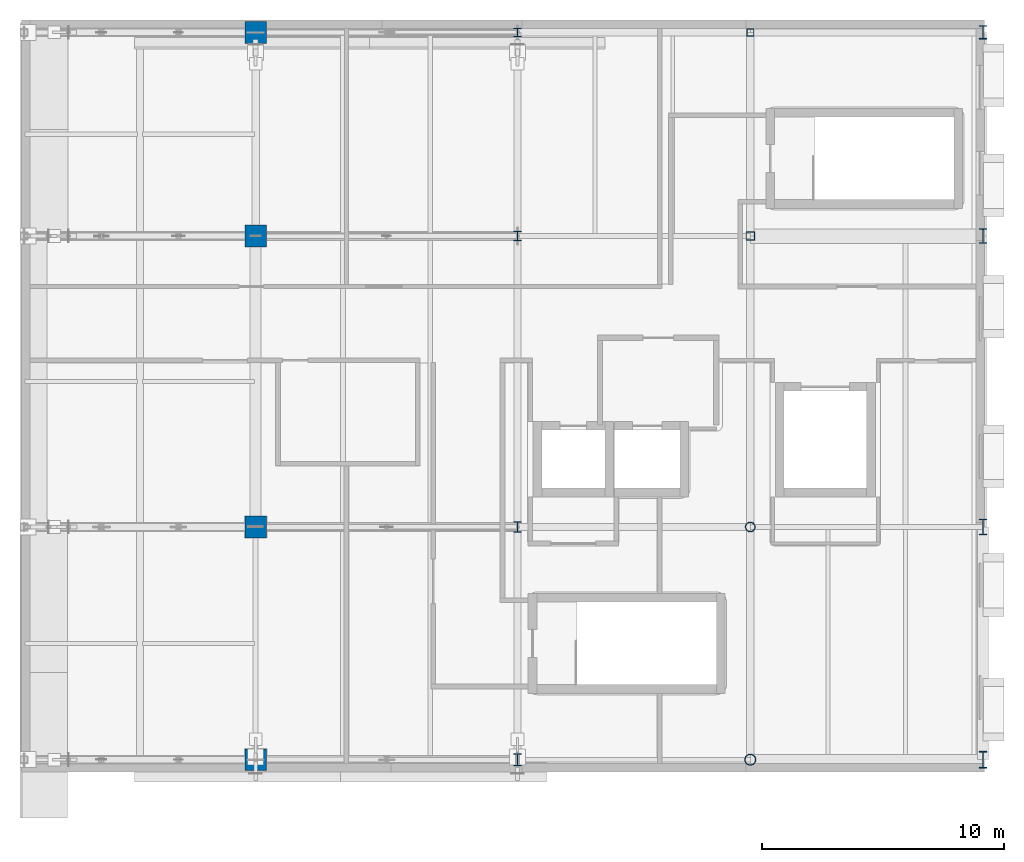
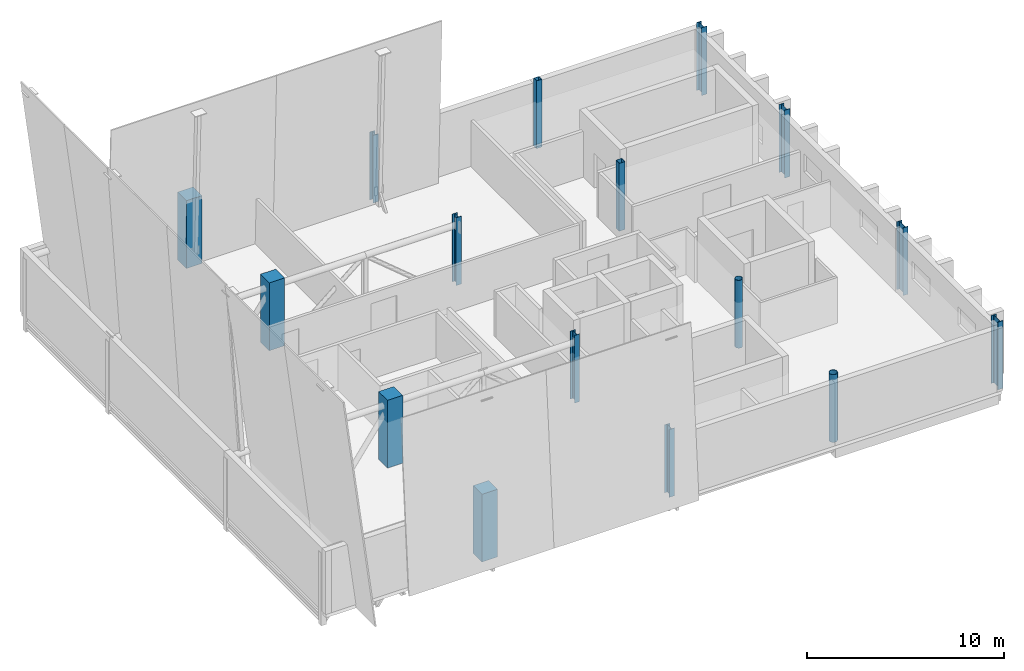
# One storey, part 1 of 10: 16 columns.
"""IFC4 building model written with IfcOpenShell, lengths in metres."""

from ifc_helpers import new_model, si_unit, direction, frame, origin, origin_2d, place, context, subcontext, project, spatial, rectangle, hollow_rectangle, hollow_circle, i_section, extrude, material, material_profile, profile_set, type_object, element, save


model = new_model("IFC4")

# Units and contexts
model_context = context("Model", 3, precision=1e-05, world=origin(), true_north=direction((0.0, 1.0)))
body_context = subcontext(model_context, "Body", "Model", "MODEL_VIEW")
ifc_project = project(units=[si_unit("LENGTHUNIT", "METRE"), si_unit("AREAUNIT", "SQUARE_METRE"), si_unit("VOLUMEUNIT", "CUBIC_METRE"), si_unit("PLANEANGLEUNIT", "RADIAN"), si_unit("MASSUNIT", "GRAM", prefix="KILO")], contexts=[model_context])

# Site, building, storey
site_placement = place(None, origin())
site = spatial("IfcSite", under=ifc_project, at=site_placement, CompositionType="ELEMENT")
building_placement = place(site_placement, origin())
building = spatial("IfcBuilding", under=site, at=building_placement, Name="Zereglee Splitstone Museum", CompositionType="ELEMENT")
storey_placement = place(building_placement, frame((0.0, 0.0, 25.5)))
storey = spatial("IfcBuildingStorey", under=building, at=storey_placement, Name="L05", CompositionType="ELEMENT", Elevation=25.5)

# Columns
ifc_material_1 = material(Name="Concrete C45/55", Category="concrete")
ifc_material_profile_1 = material_profile(ifc_material_1, rectangle(XDim=0.89990234375, YDim=0.89990234375, at=origin_2d()), Name="RC 900x900")
ifc_profile_set_1 = profile_set([ifc_material_profile_1], Name="Concrete C45/55")
column_type_1 = type_object("IfcColumnType", Name="C-03", PredefinedType="COLUMN", material=ifc_profile_set_1)
for number, where, z_axis, x_axis, name in (
    (1, (9.60009765625, 0.0, 0.0), (0.0, 0.0, 1.0), (1.0, 0.0, 0.0), "Column 2/A L05"),
    (2, (9.60009765625, 9.60009765625, 0.0), (0.0, 0.0, 1.0), (1.0, 0.0, 0.0), "Column 2/B L05"),
    (3, (9.60009765625, 21.60009765625, 0.0), (0.0, 0.0, 1.0), (1.0, 0.0, 0.0), "Column 2/C L05"),
    (4, (9.60009765625, 30.0, 0.0), (0.0, 0.0, 1.0), (1.0, 0.0, 0.0), "Column 2/D L05"),
):
    element("IfcColumn", number, at=place(storey_placement, frame(where, z_axis=z_axis, x_axis=x_axis)), inside=storey, type_object=column_type_1, Name=name, PredefinedType="COLUMN", context=body_context, shape_type="SweptSolid", body=[
        extrude(rectangle(XDim=0.89990234375, YDim=0.89990234375, at=origin_2d()), origin(), (0.0, 0.0, 1.0), 4.199951171875),
    ])
ifc_material_2 = material(Name="Steel S355J2H", Category="steel")
ifc_material_profile_2 = material_profile(ifc_material_2, hollow_circle(Radius=0.203125, WallThickness=0.02001953125, at=origin_2d()), Name="CHS 406.4x20")
ifc_profile_set_2 = profile_set([ifc_material_profile_2], Name="Steel S355J2H")
column_type_2 = type_object("IfcColumnType", Name="C-18", PredefinedType="COLUMN", material=ifc_profile_set_2)
column_1_placement = place(storey_placement, frame((30.0, 9.60009765625, 0.0), z_axis=(0.0, 0.0, 1.0), x_axis=(1.0, 0.0, 0.0)))
element("IfcColumn", 5, at=column_1_placement, inside=storey, type_object=column_type_2, Name="Column 5/B L05", PredefinedType="COLUMN", context=body_context, shape_type="SweptSolid", body=[
    extrude(hollow_circle(Radius=0.203125, WallThickness=0.02001953125, at=origin_2d()), origin(), (0.0, 0.0, 1.0), 4.199951171875),
])
ifc_material_profile_3 = material_profile(ifc_material_2, hollow_circle(Radius=0.228515625, WallThickness=0.02001953125, at=origin_2d()), Name="CHS 457.0x20")
ifc_profile_set_3 = profile_set([ifc_material_profile_3], Name="Steel S355J2H")
column_type_3 = type_object("IfcColumnType", Name="C-17", PredefinedType="COLUMN", material=ifc_profile_set_3)
column_2_placement = place(storey_placement, frame((30.0, 0.0, 0.0), z_axis=(0.0, 0.0, 1.0), x_axis=(1.0, 0.0, 0.0)))
element("IfcColumn", 6, at=column_2_placement, inside=storey, type_object=column_type_3, Name="Column 5/A L05", PredefinedType="COLUMN", context=body_context, shape_type="SweptSolid", body=[
    extrude(hollow_circle(Radius=0.228515625, WallThickness=0.02001953125, at=origin_2d()), origin(), (0.0, 0.0, 1.0), 4.199951171875),
])
ifc_material_3 = material(Name="Steel S355J2", Category="steel")
ifc_material_profile_4 = material_profile(ifc_material_3, i_section(OverallWidth=0.300048828125, OverallDepth=0.360107421875, WebThickness=0.012451171875, FlangeThickness=0.0224609375, FilletRadius=0.027099609375, at=origin_2d()), Name="HE 360 B")
ifc_profile_set_4 = profile_set([ifc_material_profile_4], Name="Steel S355J2")
column_type_4 = type_object("IfcColumnType", Name="C-16", PredefinedType="COLUMN", material=ifc_profile_set_4)
column_3_placement = place(storey_placement, frame((20.39990234375, 30.0, 0.0), z_axis=(0.0, 0.0, 1.0), x_axis=(1.0, 0.0, 0.0)))
element("IfcColumn", 7, at=column_3_placement, inside=storey, type_object=column_type_4, Name="Column 4/D L05", PredefinedType="COLUMN", context=body_context, shape_type="SweptSolid", body=[
    extrude(i_section(OverallWidth=0.300048828125, OverallDepth=0.360107421875, WebThickness=0.012451171875, FlangeThickness=0.0224609375, FilletRadius=0.027099609375, at=origin_2d()), origin(), (0.0, 0.0, 1.0), 4.199951171875),
])
ifc_material_profile_5 = material_profile(ifc_material_3, i_section(OverallWidth=0.300048828125, OverallDepth=0.39990234375, WebThickness=0.013427734375, FlangeThickness=0.02392578125, FilletRadius=0.027099609375, at=origin_2d()), Name="HE 400 B")
ifc_profile_set_5 = profile_set([ifc_material_profile_5], Name="Steel S355J2")
column_type_5 = type_object("IfcColumnType", Name="C-15", PredefinedType="COLUMN", material=ifc_profile_set_5)
column_4_placement = place(storey_placement, frame((20.39990234375, 21.60009765625, 0.0), z_axis=(0.0, 0.0, 1.0), x_axis=(1.0, 0.0, 0.0)))
element("IfcColumn", 8, at=column_4_placement, inside=storey, type_object=column_type_5, Name="Column 4/C L05", PredefinedType="COLUMN", context=body_context, shape_type="SweptSolid", body=[
    extrude(i_section(OverallWidth=0.300048828125, OverallDepth=0.39990234375, WebThickness=0.013427734375, FlangeThickness=0.02392578125, FilletRadius=0.027099609375, at=origin_2d()), origin(), (0.0, 0.0, 1.0), 4.199951171875),
])
ifc_material_profile_6 = material_profile(ifc_material_3, i_section(OverallWidth=0.300048828125, OverallDepth=0.449951171875, WebThickness=0.013916015625, FlangeThickness=0.02587890625, FilletRadius=0.027099609375, at=origin_2d()), Name="HE 450 B")
ifc_profile_set_6 = profile_set([ifc_material_profile_6], Name="Steel S355J2")
column_type_6 = type_object("IfcColumnType", Name="C-14", PredefinedType="COLUMN", material=ifc_profile_set_6)
column_5_placement = place(storey_placement, frame((20.39990234375, 9.60009765625, 0.0), z_axis=(0.0, 0.0, 1.0), x_axis=(1.0, 0.0, 0.0)))
element("IfcColumn", 9, at=column_5_placement, inside=storey, type_object=column_type_6, Name="Column 4/B L05", PredefinedType="COLUMN", context=body_context, shape_type="SweptSolid", body=[
    extrude(i_section(OverallWidth=0.300048828125, OverallDepth=0.449951171875, WebThickness=0.013916015625, FlangeThickness=0.02587890625, FilletRadius=0.027099609375, at=origin_2d()), origin(), (0.0, 0.0, 1.0), 4.199951171875),
])
ifc_material_profile_7 = material_profile(ifc_material_3, i_section(OverallWidth=0.300048828125, OverallDepth=0.5, WebThickness=0.014404296875, FlangeThickness=0.028076171875, FilletRadius=0.027099609375, at=origin_2d()), Name="HE 500 B")
ifc_profile_set_7 = profile_set([ifc_material_profile_7], Name="Steel S355J2")
column_type_7 = type_object("IfcColumnType", Name="C-13", PredefinedType="COLUMN", material=ifc_profile_set_7)
column_6_placement = place(storey_placement, frame((20.39990234375, 0.0, 0.0), z_axis=(0.0, 0.0, 1.0), x_axis=(1.0, 0.0, 0.0)))
element("IfcColumn", 10, at=column_6_placement, inside=storey, type_object=column_type_7, Name="Column 4/A L05", PredefinedType="COLUMN", context=body_context, shape_type="SweptSolid", body=[
    extrude(i_section(OverallWidth=0.300048828125, OverallDepth=0.5, WebThickness=0.014404296875, FlangeThickness=0.028076171875, FilletRadius=0.027099609375, at=origin_2d()), origin(), (0.0, 0.0, 1.0), 4.199951171875),
])
ifc_material_profile_8 = material_profile(ifc_material_3, i_section(OverallWidth=0.300048828125, OverallDepth=0.550048828125, WebThickness=0.014892578125, FlangeThickness=0.029052734375, FilletRadius=0.027099609375, at=origin_2d()), Name="HE 550 B")
ifc_profile_set_8 = profile_set([ifc_material_profile_8], Name="Steel S355J2")
column_type_8 = type_object("IfcColumnType", Name="C-12", PredefinedType="COLUMN", material=ifc_profile_set_8)
column_7_placement = place(storey_placement, frame((39.60009765625, 30.0, 0.0), z_axis=(0.0, 0.0, 1.0), x_axis=(1.0, 0.0, 0.0)))
element("IfcColumn", 11, at=column_7_placement, inside=storey, type_object=column_type_8, Name="Column 6/D L05", PredefinedType="COLUMN", context=body_context, shape_type="SweptSolid", body=[
    extrude(i_section(OverallWidth=0.300048828125, OverallDepth=0.550048828125, WebThickness=0.014892578125, FlangeThickness=0.029052734375, FilletRadius=0.027099609375, at=origin_2d()), origin(), (0.0, 0.0, 1.0), 4.199951171875),
])
ifc_material_profile_9 = material_profile(ifc_material_3, i_section(OverallWidth=0.300048828125, OverallDepth=0.60009765625, WebThickness=0.015380859375, FlangeThickness=0.030029296875, FilletRadius=0.027099609375, at=origin_2d()), Name="HE 600 B")
ifc_profile_set_9 = profile_set([ifc_material_profile_9], Name="Steel S355J2")
column_type_9 = type_object("IfcColumnType", Name="C-11", PredefinedType="COLUMN", material=ifc_profile_set_9)
column_8_placement = place(storey_placement, frame((39.60009765625, 21.60009765625, 0.0), z_axis=(0.0, 0.0, 1.0), x_axis=(1.0, 0.0, 0.0)))
element("IfcColumn", 12, at=column_8_placement, inside=storey, type_object=column_type_9, Name="Column 6/C L05", PredefinedType="COLUMN", context=body_context, shape_type="SweptSolid", body=[
    extrude(i_section(OverallWidth=0.300048828125, OverallDepth=0.60009765625, WebThickness=0.015380859375, FlangeThickness=0.030029296875, FilletRadius=0.027099609375, at=origin_2d()), origin(), (0.0, 0.0, 1.0), 4.199951171875),
])
ifc_material_profile_10 = material_profile(ifc_material_3, i_section(OverallWidth=0.300048828125, OverallDepth=0.64990234375, WebThickness=0.01611328125, FlangeThickness=0.031005859375, FilletRadius=0.027099609375, at=origin_2d()), Name="HE 650 B")
ifc_profile_set_10 = profile_set([ifc_material_profile_10], Name="Steel S355J2")
column_type_10 = type_object("IfcColumnType", Name="C-10", PredefinedType="COLUMN", material=ifc_profile_set_10)
column_9_placement = place(storey_placement, frame((39.60009765625, 9.60009765625, 0.0), z_axis=(0.0, 0.0, 1.0), x_axis=(1.0, 0.0, 0.0)))
element("IfcColumn", 13, at=column_9_placement, inside=storey, type_object=column_type_10, Name="Column 6/B L05", PredefinedType="COLUMN", context=body_context, shape_type="SweptSolid", body=[
    extrude(i_section(OverallWidth=0.300048828125, OverallDepth=0.64990234375, WebThickness=0.01611328125, FlangeThickness=0.031005859375, FilletRadius=0.027099609375, at=origin_2d()), origin(), (0.0, 0.0, 1.0), 4.199951171875),
])
ifc_material_profile_11 = material_profile(ifc_material_3, i_section(OverallWidth=0.300048828125, OverallDepth=0.699951171875, WebThickness=0.01708984375, FlangeThickness=0.031982421875, FilletRadius=0.027099609375, at=origin_2d()), Name="HE 700 B")
ifc_profile_set_11 = profile_set([ifc_material_profile_11], Name="Steel S355J2")
column_type_11 = type_object("IfcColumnType", Name="C-09", PredefinedType="COLUMN", material=ifc_profile_set_11)
column_10_placement = place(storey_placement, frame((39.60009765625, 0.0, 0.0), z_axis=(0.0, 0.0, 1.0), x_axis=(1.0, 0.0, 0.0)))
element("IfcColumn", 14, at=column_10_placement, inside=storey, type_object=column_type_11, Name="Column 6/A L05", PredefinedType="COLUMN", context=body_context, shape_type="SweptSolid", body=[
    extrude(i_section(OverallWidth=0.300048828125, OverallDepth=0.699951171875, WebThickness=0.01708984375, FlangeThickness=0.031982421875, FilletRadius=0.027099609375, at=origin_2d()), origin(), (0.0, 0.0, 1.0), 4.199951171875),
])
ifc_material_profile_12 = material_profile(ifc_material_2, hollow_rectangle(XDim=0.300048828125, YDim=0.300048828125, WallThickness=0.01611328125, at=origin_2d()), Name="SHS 300x300x16")
ifc_profile_set_12 = profile_set([ifc_material_profile_12], Name="Steel S355J2H")
column_type_12 = type_object("IfcColumnType", Name="C-20", PredefinedType="COLUMN", material=ifc_profile_set_12)
column_11_placement = place(storey_placement, frame((30.0, 30.0, 0.0), z_axis=(0.0, 0.0, 1.0), x_axis=(1.0, 0.0, 0.0)))
element("IfcColumn", 15, at=column_11_placement, inside=storey, type_object=column_type_12, Name="Column 5/D L05", PredefinedType="COLUMN", context=body_context, shape_type="SweptSolid", body=[
    extrude(hollow_rectangle(XDim=0.300048828125, YDim=0.300048828125, WallThickness=0.01611328125, at=origin_2d()), origin(), (0.0, 0.0, 1.0), 4.199951171875),
])
ifc_material_profile_13 = material_profile(ifc_material_2, hollow_rectangle(XDim=0.35009765625, YDim=0.35009765625, WallThickness=0.01611328125, at=origin_2d()), Name="SHS 350x350x16")
ifc_profile_set_13 = profile_set([ifc_material_profile_13], Name="Steel S355J2H")
column_type_13 = type_object("IfcColumnType", Name="C-19", PredefinedType="COLUMN", material=ifc_profile_set_13)
column_12_placement = place(storey_placement, frame((30.0, 21.60009765625, 0.0), z_axis=(0.0, 0.0, 1.0), x_axis=(1.0, 0.0, 0.0)))
element("IfcColumn", 16, at=column_12_placement, inside=storey, type_object=column_type_13, Name="Column 5/C L05", PredefinedType="COLUMN", context=body_context, shape_type="SweptSolid", body=[
    extrude(hollow_rectangle(XDim=0.35009765625, YDim=0.35009765625, WallThickness=0.01611328125, at=origin_2d()), origin(), (0.0, 0.0, 1.0), 4.199951171875),
])

save(model, "model.ifc")
